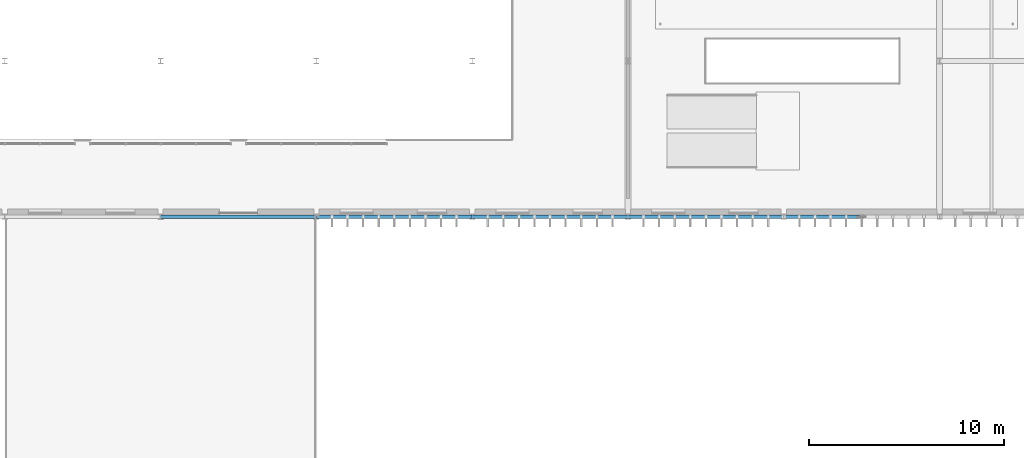
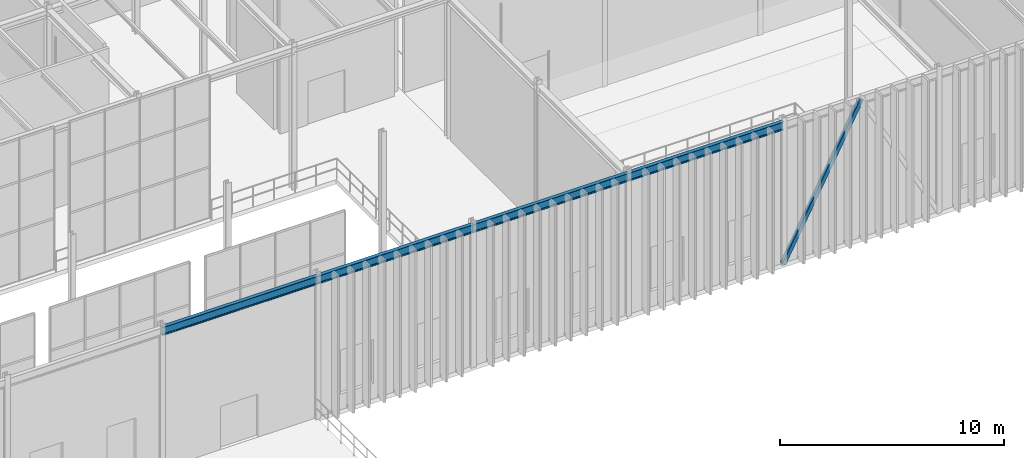
# One storey, part 60 of 138: 4 beams, 1 member.
"""IFC4 building model written with IfcOpenShell, lengths in metres."""

from ifc_helpers import new_model, si_unit, direction, frame, origin, origin_2d, place, context, subcontext, project, spatial, hollow_rectangle, i_section, extrude, material, material_profile, profile_set, type_object, element, save


model = new_model("IFC4")

# Units and contexts
model_context = context("Model", 3, precision=1e-05, world=origin(), true_north=direction((0.0, 1.0)))
body_context = subcontext(model_context, "Body", "Model", "MODEL_VIEW")
ifc_project = project(units=[si_unit("LENGTHUNIT", "METRE"), si_unit("AREAUNIT", "SQUARE_METRE"), si_unit("VOLUMEUNIT", "CUBIC_METRE"), si_unit("PLANEANGLEUNIT", "RADIAN"), si_unit("MASSUNIT", "GRAM", prefix="KILO")], contexts=[model_context])

# Site, building, storey
site_placement = place(None, origin())
site = spatial("IfcSite", under=ifc_project, at=site_placement, CompositionType="ELEMENT")
building_placement = place(site_placement, origin())
building = spatial("IfcBuilding", under=site, at=building_placement, Name="Sundkrona Museum", CompositionType="ELEMENT")
storey_placement = place(building_placement, frame((0.0, 0.0, 9.60009765625)))
storey = spatial("IfcBuildingStorey", under=building, at=storey_placement, Name="L02", CompositionType="ELEMENT", Elevation=9.60009765625)

# Member
ifc_material = material(Name="Steel S355J2", Category="steel")
ifc_material_profile_1 = material_profile(ifc_material, hollow_rectangle(XDim=0.199951171875, YDim=0.199951171875, WallThickness=0.010009765625, at=origin_2d()), Name="SHS 200x200x10.0")
ifc_profile_set_1 = profile_set([ifc_material_profile_1], Name="Steel S355J2")
member_type = type_object("IfcMemberType", Name="BR-SHS200", PredefinedType="BRACE", material=ifc_profile_set_1)
member_placement = place(storey_placement, frame((64.0, 78.0, 0.0), z_axis=(0.468651123165, 0.0, 0.883383339642), x_axis=(0.0, 1.0, 0.0)))
element("IfcMember", 1, at=member_placement, inside=storey, type_object=member_type, Name="CBR-1 L02 Concentric Chevron Brace 021A", PredefinedType="BRACE", context=body_context, shape_type="SweptSolid", body=[
    extrude(hollow_rectangle(XDim=0.199951171875, YDim=0.199951171875, WallThickness=0.010009765625, at=origin_2d()), origin(), (0.0, 0.0, 1.0), 8.53515625),
])

# Beams
ifc_material_profile_2 = material_profile(ifc_material, i_section(OverallWidth=0.18994140625, OverallDepth=0.449951171875, WebThickness=0.009521484375, FlangeThickness=0.0146484375, FilletRadius=0.02099609375, at=origin_2d()), Name="IPE 450")
ifc_profile_set_2 = profile_set([ifc_material_profile_2], Name="Steel S355J2")
beam_type = type_object("IfcBeamType", Name="SP-IPE450", PredefinedType="SPANDREL", material=ifc_profile_set_2)
for number, where, z_axis, x_axis, name in (
    (2, (32.0, 78.0, 7.534912109375), (1.0, 0.0, 0.0), (0.0, 1.0, 0.0), "L02 Girder X-1196"),
    (3, (40.0, 78.0, 7.534912109375), (1.0, 0.0, 0.0), (0.0, 1.0, 0.0), "L02 Girder X-1197"),
    (4, (48.0, 78.0, 7.534912109375), (1.0, 0.0, 0.0), (0.0, 1.0, 0.0), "L02 Girder X-1198"),
    (5, (56.0, 78.0, 7.534912109375), (1.0, 0.0, 0.0), (0.0, 1.0, 0.0), "L02 Girder X-1199"),
):
    element("IfcBeam", number, at=place(storey_placement, frame(where, z_axis=z_axis, x_axis=x_axis)), inside=storey, type_object=beam_type, Name=name, PredefinedType="SPANDREL", context=body_context, shape_type="SweptSolid", body=[
        extrude(i_section(OverallWidth=0.18994140625, OverallDepth=0.449951171875, WebThickness=0.009521484375, FlangeThickness=0.0146484375, FilletRadius=0.02099609375, at=origin_2d()), origin(), (0.0, 0.0, 1.0), 8.0),
    ])

save(model, "model.ifc")
